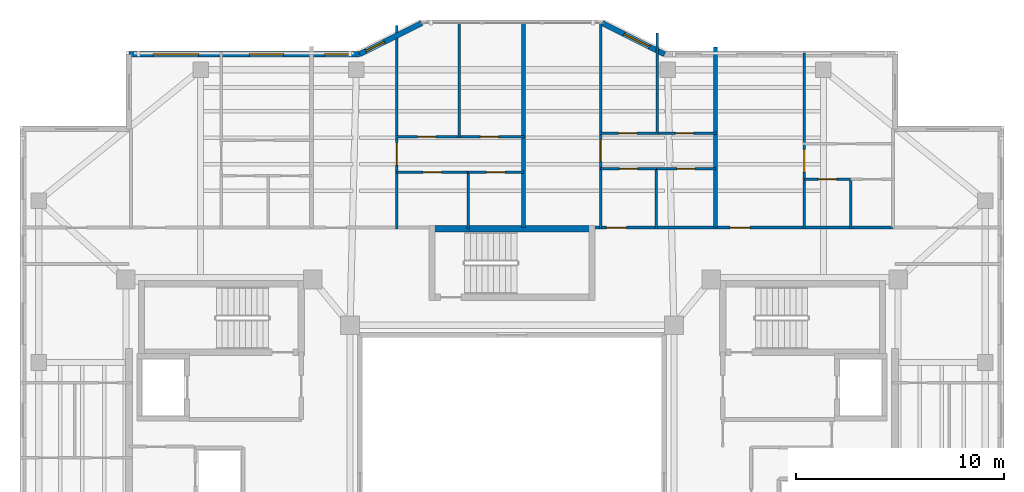
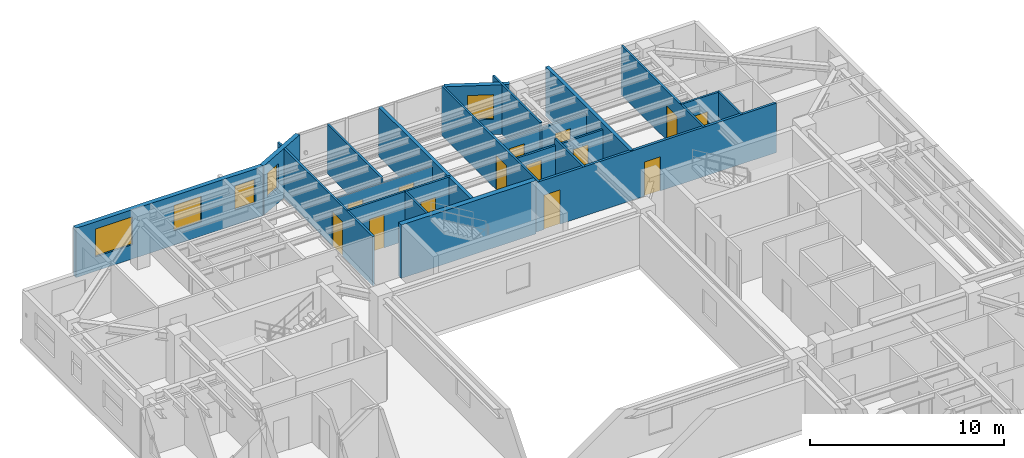
# One storey, part 8 of 12: 22 walls, 14 doors, 5 windows, 19 openings.
"""IFC4 building model written with IfcOpenShell, lengths in metres."""

from ifc_helpers import new_model, si_unit, direction, frame, frame_2d, origin, place, context, subcontext, project, spatial, rectangle, extrude, material, layer, layer_set, type_object, element, fill, save


model = new_model("IFC4")

# Units and contexts
model_context = context("Model", 3, precision=1e-05, world=origin(), true_north=direction((0.0, 1.0)))
body_context = subcontext(model_context, "Body", "Model", "MODEL_VIEW")
ifc_project = project(units=[si_unit("LENGTHUNIT", "METRE"), si_unit("AREAUNIT", "SQUARE_METRE"), si_unit("VOLUMEUNIT", "CUBIC_METRE"), si_unit("PLANEANGLEUNIT", "RADIAN"), si_unit("MASSUNIT", "GRAM", prefix="KILO")], contexts=[model_context])

# Site, building, storey
site_placement = place(None, origin())
site = spatial("IfcSite", under=ifc_project, at=site_placement, CompositionType="ELEMENT")
building_placement = place(site_placement, origin())
building = spatial("IfcBuilding", under=site, at=building_placement, Name="Tarnavaz Court Tower", CompositionType="ELEMENT")
storey_placement = place(building_placement, frame((0.0, 0.0, 203.64990234375)))
storey = spatial("IfcBuildingStorey", under=building, at=storey_placement, Name="L55", CompositionType="ELEMENT", Elevation=203.64990234375)

# Wall
ifc_material_1 = material(Name="Concrete C50/60", Category="concrete")
ifc_layer_1 = layer(ifc_material_1, 0.300048828125)
ifc_layer_set_1 = layer_set([ifc_layer_1], Name="Concrete C50/60")
wall_type_1 = type_object("IfcWallType", Name="WL-CORE-300-C50", PredefinedType="SHEAR", material=ifc_layer_set_1)
wall_1_placement = place(storey_placement, frame((-4.0, 12.43994140625, 0.0), z_axis=(0.0, 0.0, 1.0), x_axis=(1.0, 0.0, 0.0)))
element("IfcWall", 1, at=wall_1_placement, inside=storey, type_object=wall_type_1, Name="L55 North Stair Core Wall 009", PredefinedType="SHEAR", context=body_context, shape_type="SweptSolid", body=[
    extrude(rectangle(XDim=8.0, YDim=0.300048828125, at=frame_2d((4.0, 0.0))), origin(), (0.0, 0.0, 1.0), 3.35009765625),
])

# Wall, openings, windows
ifc_material_2 = material(Name="Precast Concrete C40/50", Category="concrete")
ifc_layer_2 = layer(ifc_material_2, 0.260009765625)
ifc_layer_set_2 = layer_set([ifc_layer_2], Name="Precast Concrete C40/50")
wall_type_2 = type_object("IfcWallType", Name="WL-EXT-260", PredefinedType="SOLIDWALL", material=ifc_layer_set_2)
wall_2_placement = place(storey_placement, frame((-18.449951171875, 20.85009765625, 0.0), z_axis=(0.0, 0.0, 1.0), x_axis=(1.0, 0.0, 0.0)))
wall_2 = element("IfcWall", 2, at=wall_2_placement, inside=storey, type_object=wall_type_2, Name="L55 Exterior Terracotta Facade Wall 05", PredefinedType="SOLIDWALL", context=body_context, shape_type="SweptSolid", body=[
    extrude(rectangle(XDim=11.099853515625, YDim=0.260009765625, at=frame_2d((5.5498046875, 0.0))), origin(), (0.0, 0.0, 1.0), 3.10009765625),
])
opening_1_placement = place(wall_2_placement, frame((1.16015625, 0.0, 0.89990234375)))
opening_1 = element("IfcOpeningElement", 3, at=opening_1_placement, cuts=wall_2, Name="Opening W07", PredefinedType="OPENING", context=body_context, shape_type="SweptSolid", body=[
    extrude(rectangle(XDim=2.199951171875, YDim=1.75, at=frame_2d((1.10009765625, 0.875))), frame((0.0, 0.139892578125, 0.0), z_axis=(0.0, -1.0, 0.0), x_axis=(1.0, 0.0, 0.0)), (0.0, 0.0, 1.0), 0.280029296875),
])
opening_2_placement = place(wall_2_placement, frame((5.804931640625, 0.0, 0.89990234375)))
opening_2 = element("IfcOpeningElement", 4, at=opening_2_placement, cuts=wall_2, Name="Opening W02", PredefinedType="OPENING", context=body_context, shape_type="SweptSolid", body=[
    extrude(rectangle(XDim=1.64990234375, YDim=1.60009765625, at=frame_2d((0.824951171875, 0.800048828125))), frame((0.0, 0.139892578125, 0.0), z_axis=(0.0, -1.0, 0.0), x_axis=(1.0, 0.0, 0.0)), (0.0, 0.0, 1.0), 0.280029296875),
])
opening_3_placement = place(wall_2_placement, frame((9.420166015625, 0.0, 0.949951171875)))
opening_3 = element("IfcOpeningElement", 5, at=opening_3_placement, cuts=wall_2, Name="Opening W05", PredefinedType="OPENING", context=body_context, shape_type="SweptSolid", body=[
    extrude(rectangle(XDim=1.199951171875, YDim=1.5, at=frame_2d((0.60009765625, 0.75))), frame((0.0, 0.139892578125, 0.0), z_axis=(0.0, -1.0, 0.0), x_axis=(1.0, 0.0, 0.0)), (0.0, 0.0, 1.0), 0.280029296875),
])
ifc_material_3 = material(Name="Double-Glazed Solar Low-E Glass", Category="glass")
window_type_1 = type_object("IfcWindowType", Name="WN-APT-1200", PartitioningType="SINGLE_PANEL", PredefinedType="WINDOW", material=ifc_material_3)
window_1_placement = place(opening_3_placement, origin())
window_1 = element("IfcWindow", 6, at=window_1_placement, inside=storey, type_object=window_type_1, Name="L55 Flat 02 Living and Dining Room Window", OverallHeight=1.5, OverallWidth=1.199951171875, PartitioningType="SINGLE_PANEL", PredefinedType="WINDOW", context=body_context, shape_type="SweptSolid", body=[
    extrude(rectangle(XDim=1.199951171875, YDim=1.5, at=frame_2d((0.60009765625, 0.75))), frame((0.0, 0.030029296875, 0.0), z_axis=(0.0, -1.0, 0.0), x_axis=(1.0, 0.0, 0.0)), (0.0, 0.0, 1.0), 0.06005859375),
])
fill(opening_3, window_1)
window_type_2 = type_object("IfcWindowType", Name="WN-APT-1650", PartitioningType="DOUBLE_PANEL_VERTICAL", PredefinedType="WINDOW", material=ifc_material_3)
window_2_placement = place(opening_2_placement, origin())
window_2 = element("IfcWindow", 7, at=window_2_placement, inside=storey, type_object=window_type_2, Name="L55 Flat 01 Bedroom 1 Window", OverallHeight=1.60009765625, OverallWidth=1.64990234375, PartitioningType="SINGLE_PANEL", PredefinedType="WINDOW", context=body_context, shape_type="SweptSolid", body=[
    extrude(rectangle(XDim=1.64990234375, YDim=1.60009765625, at=frame_2d((0.824951171875, 0.800048828125))), frame((0.0, 0.030029296875, 0.0), z_axis=(0.0, -1.0, 0.0), x_axis=(1.0, 0.0, 0.0)), (0.0, 0.0, 1.0), 0.06005859375),
])
fill(opening_2, window_2)
window_type_3 = type_object("IfcWindowType", Name="WN-APT-2200", PartitioningType="TRIPLE_PANEL_VERTICAL", PredefinedType="WINDOW", material=ifc_material_3)
window_3_placement = place(opening_1_placement, origin())
window_3 = element("IfcWindow", 8, at=window_3_placement, inside=storey, type_object=window_type_3, Name="L55 Flat 01 Living and Dining Room Window", OverallHeight=1.75, OverallWidth=2.199951171875, PartitioningType="SINGLE_PANEL", PredefinedType="WINDOW", context=body_context, shape_type="SweptSolid", body=[
    extrude(rectangle(XDim=2.199951171875, YDim=1.75, at=frame_2d((1.10009765625, 0.875))), frame((0.0, 0.030029296875, 0.0), z_axis=(0.0, -1.0, 0.0), x_axis=(1.0, 0.0, 0.0)), (0.0, 0.0, 1.0), 0.06005859375),
])
fill(opening_1, window_3)

# Wall, opening, window
wall_3_placement = place(storey_placement, frame((-7.35009765625, 20.85009765625, 0.0), z_axis=(0.0, 0.0, 1.0), x_axis=(0.894427191, 0.4472135955, 0.0)))
wall_3 = element("IfcWall", 9, at=wall_3_placement, inside=storey, type_object=wall_type_2, Name="L55 Exterior Terracotta Facade Wall 06", PredefinedType="SOLIDWALL", context=body_context, shape_type="SweptSolid", body=[
    extrude(rectangle(XDim=3.35400390625, YDim=0.260009765625, at=frame_2d((1.677001953125, 0.0))), origin(), (0.0, 0.0, 1.0), 3.10009765625),
])
opening_4_placement = place(wall_3_placement, frame((0.345947265625, 0.0, 0.949951171875)))
opening_4 = element("IfcOpeningElement", 10, at=opening_4_placement, cuts=wall_3, Name="Opening W14", PredefinedType="OPENING", context=body_context, shape_type="SweptSolid", body=[
    extrude(rectangle(XDim=1.0, YDim=1.5, at=frame_2d((0.5, 0.75))), frame((0.0, 0.139892578125, 0.0), z_axis=(0.0, -1.0, 0.0), x_axis=(1.0, 0.0, 0.0)), (0.0, 0.0, 1.0), 0.280029296875),
])
window_type_4 = type_object("IfcWindowType", Name="WN-APT-1000", PartitioningType="SINGLE_PANEL", PredefinedType="WINDOW", material=ifc_material_3)
window_4_placement = place(opening_4_placement, origin())
window_4 = element("IfcWindow", 11, at=window_4_placement, inside=storey, type_object=window_type_4, Name="L55 Flat 02 Living and Dining Room Window", OverallHeight=1.5, OverallWidth=1.0, PartitioningType="SINGLE_PANEL", PredefinedType="WINDOW", context=body_context, shape_type="SweptSolid", body=[
    extrude(rectangle(XDim=1.0, YDim=1.5, at=frame_2d((0.5, 0.75))), frame((0.0, 0.030029296875, 0.0), z_axis=(0.0, -1.0, 0.0), x_axis=(1.0, 0.0, 0.0)), (0.0, 0.0, 1.0), 0.06005859375),
])
fill(opening_4, window_4)

wall_4_placement = place(storey_placement, frame((4.35009765625, 22.35009765625, 0.0), z_axis=(0.0, 0.0, 1.0), x_axis=(0.894427191, -0.4472135955, 0.0)))
wall_4 = element("IfcWall", 12, at=wall_4_placement, inside=storey, type_object=wall_type_2, Name="L55 Exterior Terracotta Facade Wall 08", PredefinedType="SOLIDWALL", context=body_context, shape_type="SweptSolid", body=[
    extrude(rectangle(XDim=3.35400390625, YDim=0.260009765625, at=frame_2d((1.677001953125, 0.0))), origin(), (0.0, 0.0, 1.0), 3.10009765625),
])
opening_5_placement = place(wall_4_placement, frame((1.182373046875, 0.0, 0.949951171875)))
opening_5 = element("IfcOpeningElement", 13, at=opening_5_placement, cuts=wall_4, Name="Opening W04", PredefinedType="OPENING", context=body_context, shape_type="SweptSolid", body=[
    extrude(rectangle(XDim=1.35009765625, YDim=1.550048828125, at=frame_2d((0.675048828125, 0.77490234375))), frame((0.0, 0.139892578125, 0.0), z_axis=(0.0, -1.0, 0.0), x_axis=(1.0, 0.0, 0.0)), (0.0, 0.0, 1.0), 0.280029296875),
])
window_type_5 = type_object("IfcWindowType", Name="WN-APT-1350", PartitioningType="SINGLE_PANEL", PredefinedType="WINDOW", material=ifc_material_3)
window_5_placement = place(opening_5_placement, origin())
window_5 = element("IfcWindow", 14, at=window_5_placement, inside=storey, type_object=window_type_5, Name="L55 Flat 03 Principal Bedroom Window", OverallHeight=1.550048828125, OverallWidth=1.35009765625, PartitioningType="SINGLE_PANEL", PredefinedType="WINDOW", context=body_context, shape_type="SweptSolid", body=[
    extrude(rectangle(XDim=1.35009765625, YDim=1.550048828125, at=frame_2d((0.675048828125, 0.77490234375))), frame((0.0, 0.030029296875, 0.0), z_axis=(0.0, -1.0, 0.0), x_axis=(1.0, 0.0, 0.0)), (0.0, 0.0, 1.0), 0.06005859375),
])
fill(opening_5, window_5)

# Wall, openings, doors
ifc_material_4 = material(Name="Gypsum Fire-Board on Acoustic Metal Stud", Category="masonry")
ifc_layer_3 = layer(ifc_material_4, 0.14990234375)
ifc_layer_set_3 = layer_set([ifc_layer_3], Name="Gypsum Fire-Board on Acoustic Metal Stud")
wall_type_3 = type_object("IfcWallType", Name="WL-FIRE-150", PredefinedType="PARTITIONING", material=ifc_layer_set_3)
wall_5_placement = place(storey_placement, frame((3.85009765625, 12.5, 0.0), z_axis=(0.0, 0.0, 1.0), x_axis=(1.0, 0.0, 0.0)))
wall_5 = element("IfcWall", 15, at=wall_5_placement, inside=storey, type_object=wall_type_3, Name="L55 NE Wing Corridor Wall 059", PredefinedType="PARTITIONING", context=body_context, shape_type="SweptSolid", body=[
    extrude(rectangle(XDim=14.5, YDim=0.14990234375, at=frame_2d((7.25, 0.0))), origin(), (0.0, 0.0, 1.0), 3.10009765625),
])
opening_6_placement = place(wall_5_placement, frame((0.699951171875, 0.0, 0.0)))
opening_6 = element("IfcOpeningElement", 16, at=opening_6_placement, cuts=wall_5, Name="Opening D06", PredefinedType="OPENING", context=body_context, shape_type="SweptSolid", body=[
    extrude(rectangle(XDim=0.9599609375, YDim=2.14990234375, at=frame_2d((0.47998046875, 1.074951171875))), frame((0.0, 0.0849609375, 0.0), z_axis=(0.0, -1.0, 0.0), x_axis=(1.0, 0.0, 0.0)), (0.0, 0.0, 1.0), 0.169921875),
])
opening_7_placement = place(wall_5_placement, frame((6.656005859375, 0.0, 0.0)))
opening_7 = element("IfcOpeningElement", 17, at=opening_7_placement, cuts=wall_5, Name="Opening D06", PredefinedType="OPENING", context=body_context, shape_type="SweptSolid", body=[
    extrude(rectangle(XDim=0.9599609375, YDim=2.14990234375, at=frame_2d((0.47998046875, 1.074951171875))), frame((0.0, 0.0849609375, 0.0), z_axis=(0.0, -1.0, 0.0), x_axis=(1.0, 0.0, 0.0)), (0.0, 0.0, 1.0), 0.169921875),
])
ifc_material_5 = material(Name="Fire-Rated Hardwood Timber Core", Category="wood")
door_type_1 = type_object("IfcDoorType", Name="DR-FD60-950", OperationType="NOTDEFINED", PredefinedType="DOOR", material=ifc_material_5)
door_1_placement = place(opening_6_placement, origin())
door_1 = element("IfcDoor", 18, at=door_1_placement, inside=storey, type_object=door_type_1, Name="L55 Flat 03 Entrance Door", OperationType="SINGLE_SWING_LEFT", OverallHeight=2.14990234375, OverallWidth=0.9599609375, PredefinedType="DOOR", context=body_context, shape_type="SweptSolid", body=[
    extrude(rectangle(XDim=0.9599609375, YDim=2.14990234375, at=frame_2d((0.47998046875, 1.074951171875))), frame((0.0, 0.02490234375, 0.0), z_axis=(0.0, -1.0, 0.0), x_axis=(1.0, 0.0, 0.0)), (0.0, 0.0, 1.0), 0.050048828125),
])
fill(opening_6, door_1)
door_2_placement = place(opening_7_placement, origin())
door_2 = element("IfcDoor", 19, at=door_2_placement, inside=storey, type_object=door_type_1, Name="L55 Flat 04 Entrance Door", OperationType="SINGLE_SWING_LEFT", OverallHeight=2.14990234375, OverallWidth=0.9599609375, PredefinedType="DOOR", context=body_context, shape_type="SweptSolid", body=[
    extrude(rectangle(XDim=0.9599609375, YDim=2.14990234375, at=frame_2d((0.47998046875, 1.074951171875))), frame((0.0, 0.02490234375, 0.0), z_axis=(0.0, -1.0, 0.0), x_axis=(1.0, 0.0, 0.0)), (0.0, 0.0, 1.0), 0.050048828125),
])
fill(opening_7, door_2)

# Walls
ifc_material_6 = material(Name="Autoclaved Aerated Concrete Blockwork", Category="masonry")
ifc_layer_4 = layer(ifc_material_6, 0.199951171875)
ifc_layer_set_4 = layer_set([ifc_layer_4], Name="Autoclaved Aerated Concrete Blockwork")
wall_type_4 = type_object("IfcWallType", Name="WL-FIRE-200", PredefinedType="SOLIDWALL", material=ifc_layer_set_4)
wall_6_placement = place(storey_placement, frame((0.550048828125, 12.5, 0.0), z_axis=(0.0, 0.0, 1.0), x_axis=(0.0, 1.0, 0.0)))
element("IfcWall", 20, at=wall_6_placement, inside=storey, type_object=wall_type_4, Name="L55 North Center Party Wall 064", PredefinedType="SOLIDWALL", context=body_context, shape_type="SweptSolid", body=[
    extrude(rectangle(XDim=9.8798828125, YDim=0.199951171875, at=frame_2d((4.93994140625, 0.0))), origin(), (0.0, 0.0, 1.0), 3.10009765625),
])
wall_7_placement = place(storey_placement, frame((9.805908203125, 12.5, 0.0), z_axis=(0.0, 0.0, 1.0), x_axis=(0.0, 1.0, 0.0)))
element("IfcWall", 21, at=wall_7_placement, inside=storey, type_object=wall_type_4, Name="L55 Party Wall 077", PredefinedType="SOLIDWALL", context=body_context, shape_type="SweptSolid", body=[
    extrude(rectangle(XDim=8.695068359375, YDim=0.199951171875, at=frame_2d((4.34765625, 0.0))), origin(), (0.0, 0.0, 1.0), 3.10009765625),
])

# Wall, opening, door
ifc_material_7 = material(Name="Moisture-Resistant Gypsum Board Partition", Category="masonry")
ifc_layer_5 = layer(ifc_material_7, 0.1201171875)
ifc_layer_set_5 = layer_set([ifc_layer_5], Name="Moisture-Resistant Gypsum Board Partition")
wall_type_5 = type_object("IfcWallType", Name="WL-PART-120", PredefinedType="PARTITIONING", material=ifc_layer_set_5)
wall_8_placement = place(storey_placement, frame((-5.56201171875, 12.43994140625, 0.0), z_axis=(0.0, 0.0, 1.0), x_axis=(0.0, 1.0, 0.0)))
wall_8 = element("IfcWall", 22, at=wall_8_placement, inside=storey, type_object=wall_type_5, Name="L55 Interior Partition 071", PredefinedType="PARTITIONING", context=body_context, shape_type="SweptSolid", body=[
    extrude(rectangle(XDim=9.801025390625, YDim=0.1201171875, at=frame_2d((4.900390625, 0.0))), origin(), (0.0, 0.0, 1.0), 3.10009765625),
])
opening_8_placement = place(wall_8_placement, frame((3.074951171875, 0.0, 0.0)))
opening_8 = element("IfcOpeningElement", 23, at=opening_8_placement, cuts=wall_8, Name="Opening D12", PredefinedType="OPENING", context=body_context, shape_type="SweptSolid", body=[
    extrude(rectangle(XDim=1.080078125, YDim=2.14990234375, at=frame_2d((0.5400390625, 1.074951171875))), frame((0.0, 0.070068359375, 0.0), z_axis=(0.0, -1.0, 0.0), x_axis=(1.0, 0.0, 0.0)), (0.0, 0.0, 1.0), 0.14013671875),
])
ifc_material_8 = material(Name="Engineered Oak Timber", Category="wood")
door_type_2 = type_object("IfcDoorType", Name="DR-INT-1100", OperationType="NOTDEFINED", PredefinedType="DOOR", material=ifc_material_8)
door_3_placement = place(opening_8_placement, origin())
door_3 = element("IfcDoor", 24, at=door_3_placement, inside=storey, type_object=door_type_2, Name="L55 Flat 02 Foyer Door", OperationType="SINGLE_SWING_RIGHT", OverallHeight=2.14990234375, OverallWidth=1.080078125, PredefinedType="DOOR", context=body_context, shape_type="SweptSolid", body=[
    extrude(rectangle(XDim=1.080078125, YDim=2.14990234375, at=frame_2d((0.5400390625, 1.074951171875))), frame((0.0, 0.02490234375, 0.0), z_axis=(0.0, -1.0, 0.0), x_axis=(1.0, 0.0, 0.0)), (0.0, 0.0, 1.0), 0.050048828125),
])
fill(opening_8, door_3)

wall_9_placement = place(storey_placement, frame((-5.56201171875, 15.169921875, 0.0), z_axis=(0.0, 0.0, 1.0), x_axis=(1.0, 0.0, 0.0)))
wall_9 = element("IfcWall", 25, at=wall_9_placement, inside=storey, type_object=wall_type_5, Name="L55 Interior Partition 072", PredefinedType="PARTITIONING", context=body_context, shape_type="SweptSolid", body=[
    extrude(rectangle(XDim=3.449951171875, YDim=0.1201171875, at=frame_2d((1.72509765625, 0.0))), origin(), (0.0, 0.0, 1.0), 3.10009765625),
])
opening_9_placement = place(wall_9_placement, frame((1.284912109375, 0.0, 0.0)))
opening_9 = element("IfcOpeningElement", 26, at=opening_9_placement, cuts=wall_9, Name="Opening D14", PredefinedType="OPENING", context=body_context, shape_type="SweptSolid", body=[
    extrude(rectangle(XDim=0.8798828125, YDim=2.10009765625, at=frame_2d((0.43994140625, 1.050048828125))), frame((0.0, 0.070068359375, 0.0), z_axis=(0.0, -1.0, 0.0), x_axis=(1.0, 0.0, 0.0)), (0.0, 0.0, 1.0), 0.14013671875),
])
door_type_3 = type_object("IfcDoorType", Name="DR-INT-900", OperationType="NOTDEFINED", PredefinedType="DOOR", material=ifc_material_8)
door_4_placement = place(opening_9_placement, origin())
door_4 = element("IfcDoor", 27, at=door_4_placement, inside=storey, type_object=door_type_3, Name="L55 Flat 02 Kitchen Door", OperationType="SINGLE_SWING_LEFT", OverallHeight=2.10009765625, OverallWidth=0.8798828125, PredefinedType="DOOR", context=body_context, shape_type="SweptSolid", body=[
    extrude(rectangle(XDim=0.8798828125, YDim=2.10009765625, at=frame_2d((0.43994140625, 1.050048828125))), frame((0.0, 0.02490234375, 0.0), z_axis=(0.0, -1.0, 0.0), x_axis=(1.0, 0.0, 0.0)), (0.0, 0.0, 1.0), 0.050048828125),
])
fill(opening_9, door_4)

wall_10_placement = place(storey_placement, frame((-2.112060546875, 15.169921875, 0.0), z_axis=(0.0, 0.0, 1.0), x_axis=(1.0, 0.0, 0.0)))
wall_10 = element("IfcWall", 28, at=wall_10_placement, inside=storey, type_object=wall_type_5, Name="L55 Interior Partition 073", PredefinedType="PARTITIONING", context=body_context, shape_type="SweptSolid", body=[
    extrude(rectangle(XDim=2.662109375, YDim=0.1201171875, at=frame_2d((1.3310546875, 0.0))), origin(), (0.0, 0.0, 1.0), 3.10009765625),
])
opening_10_placement = place(wall_10_placement, frame((0.89111328125, 0.0, 0.0)))
opening_10 = element("IfcOpeningElement", 29, at=opening_10_placement, cuts=wall_10, Name="Opening D14", PredefinedType="OPENING", context=body_context, shape_type="SweptSolid", body=[
    extrude(rectangle(XDim=0.8798828125, YDim=2.10009765625, at=frame_2d((0.43994140625, 1.050048828125))), frame((0.0, 0.070068359375, 0.0), z_axis=(0.0, -1.0, 0.0), x_axis=(1.0, 0.0, 0.0)), (0.0, 0.0, 1.0), 0.14013671875),
])
door_5_placement = place(opening_10_placement, origin())
door_5 = element("IfcDoor", 30, at=door_5_placement, inside=storey, type_object=door_type_3, Name="L55 Flat 02 Bathroom Door", OperationType="SINGLE_SWING_RIGHT", OverallHeight=2.10009765625, OverallWidth=0.8798828125, PredefinedType="DOOR", context=body_context, shape_type="SweptSolid", body=[
    extrude(rectangle(XDim=0.8798828125, YDim=2.10009765625, at=frame_2d((0.43994140625, 1.050048828125))), frame((0.0, 0.02490234375, 0.0), z_axis=(0.0, -1.0, 0.0), x_axis=(1.0, 0.0, 0.0)), (0.0, 0.0, 1.0), 0.050048828125),
])
fill(opening_10, door_5)

# Wall, openings, doors
wall_11_placement = place(storey_placement, frame((-5.6220703125, 16.8798828125, 0.0), z_axis=(0.0, 0.0, 1.0), x_axis=(1.0, 0.0, 0.0)))
wall_11 = element("IfcWall", 31, at=wall_11_placement, inside=storey, type_object=wall_type_5, Name="L55 Interior Partition 074", PredefinedType="PARTITIONING", context=body_context, shape_type="SweptSolid", body=[
    extrude(rectangle(XDim=6.232177734375, YDim=0.1201171875, at=frame_2d((3.1162109375, 0.0))), origin(), (0.0, 0.0, 1.0), 2.72509765625),
])
opening_11_placement = place(wall_11_placement, frame((1.072998046875, 0.0, 0.0)))
opening_11 = element("IfcOpeningElement", 32, at=opening_11_placement, cuts=wall_11, Name="Opening D14", PredefinedType="OPENING", context=body_context, shape_type="SweptSolid", body=[
    extrude(rectangle(XDim=0.8798828125, YDim=2.10009765625, at=frame_2d((0.43994140625, 1.050048828125))), frame((0.0, 0.070068359375, 0.0), z_axis=(0.0, -1.0, 0.0), x_axis=(1.0, 0.0, 0.0)), (0.0, 0.0, 1.0), 0.14013671875),
])
opening_12_placement = place(wall_11_placement, frame((4.09912109375, 0.0, 0.0)))
opening_12 = element("IfcOpeningElement", 33, at=opening_12_placement, cuts=wall_11, Name="Opening D14", PredefinedType="OPENING", context=body_context, shape_type="SweptSolid", body=[
    extrude(rectangle(XDim=0.8798828125, YDim=2.10009765625, at=frame_2d((0.43994140625, 1.050048828125))), frame((0.0, 0.070068359375, 0.0), z_axis=(0.0, -1.0, 0.0), x_axis=(1.0, 0.0, 0.0)), (0.0, 0.0, 1.0), 0.14013671875),
])
door_6_placement = place(opening_11_placement, origin())
door_6 = element("IfcDoor", 34, at=door_6_placement, inside=storey, type_object=door_type_3, Name="L55 Flat 02 Bedroom 1 Door", OperationType="SINGLE_SWING_LEFT", OverallHeight=2.10009765625, OverallWidth=0.8798828125, PredefinedType="DOOR", context=body_context, shape_type="SweptSolid", body=[
    extrude(rectangle(XDim=0.8798828125, YDim=2.10009765625, at=frame_2d((0.43994140625, 1.050048828125))), frame((0.0, 0.02490234375, 0.0), z_axis=(0.0, -1.0, 0.0), x_axis=(1.0, 0.0, 0.0)), (0.0, 0.0, 1.0), 0.050048828125),
])
fill(opening_11, door_6)
door_7_placement = place(opening_12_placement, origin())
door_7 = element("IfcDoor", 35, at=door_7_placement, inside=storey, type_object=door_type_3, Name="L55 Flat 02 Bedroom 2 Door", OperationType="SINGLE_SWING_RIGHT", OverallHeight=2.10009765625, OverallWidth=0.8798828125, PredefinedType="DOOR", context=body_context, shape_type="SweptSolid", body=[
    extrude(rectangle(XDim=0.8798828125, YDim=2.10009765625, at=frame_2d((0.43994140625, 1.050048828125))), frame((0.0, 0.02490234375, 0.0), z_axis=(0.0, -1.0, 0.0), x_axis=(1.0, 0.0, 0.0)), (0.0, 0.0, 1.0), 0.050048828125),
])
fill(opening_12, door_7)

# Walls
wall_12_placement = place(storey_placement, frame((-2.112060546875, 12.43994140625, 0.0), z_axis=(0.0, 0.0, 1.0), x_axis=(0.0, 1.0, 0.0)))
element("IfcWall", 36, at=wall_12_placement, inside=storey, type_object=wall_type_5, Name="L55 Interior Partition 075", PredefinedType="PARTITIONING", context=body_context, shape_type="SweptSolid", body=[
    extrude(rectangle(XDim=2.7900390625, YDim=0.1201171875, at=frame_2d((1.39501953125, 0.0))), origin(), (0.0, 0.0, 1.0), 3.10009765625),
])
wall_13_placement = place(storey_placement, frame((-2.535888671875, 16.820068359375, 0.0), z_axis=(0.0, 0.0, 1.0), x_axis=(0.0, 1.0, 0.0)))
element("IfcWall", 37, at=wall_13_placement, inside=storey, type_object=wall_type_5, Name="L55 Interior Partition 076", PredefinedType="PARTITIONING", context=body_context, shape_type="SweptSolid", body=[
    extrude(rectangle(XDim=5.559814453125, YDim=0.1201171875, at=frame_2d((2.77978515625, 0.0))), origin(), (0.0, 0.0, 1.0), 3.10009765625),
])

# Wall, opening, door
wall_14_placement = place(storey_placement, frame((4.263916015625, 12.43994140625, 0.0), z_axis=(0.0, 0.0, 1.0), x_axis=(0.0, 1.0, 0.0)))
wall_14 = element("IfcWall", 38, at=wall_14_placement, inside=storey, type_object=wall_type_5, Name="L55 Interior Partition 078", PredefinedType="PARTITIONING", context=body_context, shape_type="SweptSolid", body=[
    extrude(rectangle(XDim=9.93994140625, YDim=0.1201171875, at=frame_2d((4.969970703125, 0.0))), origin(), (0.0, 0.0, 1.0), 3.10009765625),
])
opening_13_placement = place(wall_14_placement, frame((3.2451171875, 0.0, 0.0)))
opening_13 = element("IfcOpeningElement", 39, at=opening_13_placement, cuts=wall_14, Name="Opening D12", PredefinedType="OPENING", context=body_context, shape_type="SweptSolid", body=[
    extrude(rectangle(XDim=1.080078125, YDim=2.14990234375, at=frame_2d((0.5400390625, 1.074951171875))), frame((0.0, 0.070068359375, 0.0), z_axis=(0.0, -1.0, 0.0), x_axis=(1.0, 0.0, 0.0)), (0.0, 0.0, 1.0), 0.14013671875),
])
door_8_placement = place(opening_13_placement, origin())
door_8 = element("IfcDoor", 40, at=door_8_placement, inside=storey, type_object=door_type_2, Name="L55 Flat 03 Foyer Door", OperationType="SINGLE_SWING_RIGHT", OverallHeight=2.14990234375, OverallWidth=1.080078125, PredefinedType="DOOR", context=body_context, shape_type="SweptSolid", body=[
    extrude(rectangle(XDim=1.080078125, YDim=2.14990234375, at=frame_2d((0.5400390625, 1.074951171875))), frame((0.0, 0.02490234375, 0.0), z_axis=(0.0, -1.0, 0.0), x_axis=(1.0, 0.0, 0.0)), (0.0, 0.0, 1.0), 0.050048828125),
])
fill(opening_13, door_8)

wall_15_placement = place(storey_placement, frame((4.263916015625, 15.340087890625, 0.0), z_axis=(0.0, 0.0, 1.0), x_axis=(1.0, 0.0, 0.0)))
wall_15 = element("IfcWall", 41, at=wall_15_placement, inside=storey, type_object=wall_type_5, Name="L55 Interior Partition 079", PredefinedType="PARTITIONING", context=body_context, shape_type="SweptSolid", body=[
    extrude(rectangle(XDim=2.68603515625, YDim=0.1201171875, at=frame_2d((1.343017578125, 0.0))), origin(), (0.0, 0.0, 1.0), 2.72509765625),
])
opening_14_placement = place(wall_15_placement, frame((0.903076171875, 0.0, 0.0)))
opening_14 = element("IfcOpeningElement", 42, at=opening_14_placement, cuts=wall_15, Name="Opening D14", PredefinedType="OPENING", context=body_context, shape_type="SweptSolid", body=[
    extrude(rectangle(XDim=0.8798828125, YDim=2.10009765625, at=frame_2d((0.43994140625, 1.050048828125))), frame((0.0, 0.070068359375, 0.0), z_axis=(0.0, -1.0, 0.0), x_axis=(1.0, 0.0, 0.0)), (0.0, 0.0, 1.0), 0.14013671875),
])
door_9_placement = place(opening_14_placement, origin())
door_9 = element("IfcDoor", 43, at=door_9_placement, inside=storey, type_object=door_type_3, Name="L55 Flat 03 Kitchen Door", OperationType="SINGLE_SWING_LEFT", OverallHeight=2.10009765625, OverallWidth=0.8798828125, PredefinedType="DOOR", context=body_context, shape_type="SweptSolid", body=[
    extrude(rectangle(XDim=0.8798828125, YDim=2.10009765625, at=frame_2d((0.43994140625, 1.050048828125))), frame((0.0, 0.02490234375, 0.0), z_axis=(0.0, -1.0, 0.0), x_axis=(1.0, 0.0, 0.0)), (0.0, 0.0, 1.0), 0.050048828125),
])
fill(opening_14, door_9)

wall_16_placement = place(storey_placement, frame((6.949951171875, 15.340087890625, 0.0), z_axis=(0.0, 0.0, 1.0), x_axis=(1.0, 0.0, 0.0)))
wall_16 = element("IfcWall", 44, at=wall_16_placement, inside=storey, type_object=wall_type_5, Name="L55 Interior Partition 080", PredefinedType="PARTITIONING", context=body_context, shape_type="SweptSolid", body=[
    extrude(rectangle(XDim=2.85595703125, YDim=0.1201171875, at=frame_2d((1.427978515625, 0.0))), origin(), (0.0, 0.0, 1.0), 2.72509765625),
])
opening_15_placement = place(wall_16_placement, frame((0.988037109375, 0.0, 0.0)))
opening_15 = element("IfcOpeningElement", 45, at=opening_15_placement, cuts=wall_16, Name="Opening D14", PredefinedType="OPENING", context=body_context, shape_type="SweptSolid", body=[
    extrude(rectangle(XDim=0.8798828125, YDim=2.10009765625, at=frame_2d((0.43994140625, 1.050048828125))), frame((0.0, 0.070068359375, 0.0), z_axis=(0.0, -1.0, 0.0), x_axis=(1.0, 0.0, 0.0)), (0.0, 0.0, 1.0), 0.14013671875),
])
door_10_placement = place(opening_15_placement, origin())
door_10 = element("IfcDoor", 46, at=door_10_placement, inside=storey, type_object=door_type_3, Name="L55 Flat 03 Bathroom Door", OperationType="SINGLE_SWING_RIGHT", OverallHeight=2.10009765625, OverallWidth=0.8798828125, PredefinedType="DOOR", context=body_context, shape_type="SweptSolid", body=[
    extrude(rectangle(XDim=0.8798828125, YDim=2.10009765625, at=frame_2d((0.43994140625, 1.050048828125))), frame((0.0, 0.02490234375, 0.0), z_axis=(0.0, -1.0, 0.0), x_axis=(1.0, 0.0, 0.0)), (0.0, 0.0, 1.0), 0.050048828125),
])
fill(opening_15, door_10)

# Wall, openings, doors
wall_17_placement = place(storey_placement, frame((4.2041015625, 17.050048828125, 0.0), z_axis=(0.0, 0.0, 1.0), x_axis=(1.0, 0.0, 0.0)))
wall_17 = element("IfcWall", 47, at=wall_17_placement, inside=storey, type_object=wall_type_5, Name="L55 Interior Partition 081", PredefinedType="PARTITIONING", context=body_context, shape_type="SweptSolid", body=[
    extrude(rectangle(XDim=5.661865234375, YDim=0.1201171875, at=frame_2d((2.8310546875, 0.0))), origin(), (0.0, 0.0, 1.0), 2.72509765625),
])
opening_16_placement = place(wall_17_placement, frame((0.929931640625, 0.0, 0.0)))
opening_16 = element("IfcOpeningElement", 48, at=opening_16_placement, cuts=wall_17, Name="Opening D14", PredefinedType="OPENING", context=body_context, shape_type="SweptSolid", body=[
    extrude(rectangle(XDim=0.8798828125, YDim=2.10009765625, at=frame_2d((0.43994140625, 1.050048828125))), frame((0.0, 0.070068359375, 0.0), z_axis=(0.0, -1.0, 0.0), x_axis=(1.0, 0.0, 0.0)), (0.0, 0.0, 1.0), 0.14013671875),
])
opening_17_placement = place(wall_17_placement, frame((3.6708984375, 0.0, 0.0)))
opening_17 = element("IfcOpeningElement", 49, at=opening_17_placement, cuts=wall_17, Name="Opening D14", PredefinedType="OPENING", context=body_context, shape_type="SweptSolid", body=[
    extrude(rectangle(XDim=0.8798828125, YDim=2.10009765625, at=frame_2d((0.43994140625, 1.050048828125))), frame((0.0, 0.070068359375, 0.0), z_axis=(0.0, -1.0, 0.0), x_axis=(1.0, 0.0, 0.0)), (0.0, 0.0, 1.0), 0.14013671875),
])
door_11_placement = place(opening_16_placement, origin())
door_11 = element("IfcDoor", 50, at=door_11_placement, inside=storey, type_object=door_type_3, Name="L55 Flat 03 Bedroom 1 Door", OperationType="SINGLE_SWING_LEFT", OverallHeight=2.10009765625, OverallWidth=0.8798828125, PredefinedType="DOOR", context=body_context, shape_type="SweptSolid", body=[
    extrude(rectangle(XDim=0.8798828125, YDim=2.10009765625, at=frame_2d((0.43994140625, 1.050048828125))), frame((0.0, 0.02490234375, 0.0), z_axis=(0.0, -1.0, 0.0), x_axis=(1.0, 0.0, 0.0)), (0.0, 0.0, 1.0), 0.050048828125),
])
fill(opening_16, door_11)
door_12_placement = place(opening_17_placement, origin())
door_12 = element("IfcDoor", 51, at=door_12_placement, inside=storey, type_object=door_type_3, Name="L55 Flat 03 Bedroom 2 Door", OperationType="SINGLE_SWING_RIGHT", OverallHeight=2.10009765625, OverallWidth=0.8798828125, PredefinedType="DOOR", context=body_context, shape_type="SweptSolid", body=[
    extrude(rectangle(XDim=0.8798828125, YDim=2.10009765625, at=frame_2d((0.43994140625, 1.050048828125))), frame((0.0, 0.02490234375, 0.0), z_axis=(0.0, -1.0, 0.0), x_axis=(1.0, 0.0, 0.0)), (0.0, 0.0, 1.0), 0.050048828125),
])
fill(opening_17, door_12)

# Walls
wall_18_placement = place(storey_placement, frame((6.949951171875, 12.43994140625, 0.0), z_axis=(0.0, 0.0, 1.0), x_axis=(0.0, 1.0, 0.0)))
element("IfcWall", 52, at=wall_18_placement, inside=storey, type_object=wall_type_5, Name="L55 Interior Partition 082", PredefinedType="PARTITIONING", context=body_context, shape_type="SweptSolid", body=[
    extrude(rectangle(XDim=2.9599609375, YDim=0.1201171875, at=frame_2d((1.47998046875, 0.0))), origin(), (0.0, 0.0, 1.0), 3.10009765625),
])
wall_19_placement = place(storey_placement, frame((7.0048828125, 16.989990234375, 0.0), z_axis=(0.0, 0.0, 1.0), x_axis=(0.0, 1.0, 0.0)))
element("IfcWall", 53, at=wall_19_placement, inside=storey, type_object=wall_type_5, Name="L55 Interior Partition 083", PredefinedType="PARTITIONING", context=body_context, shape_type="SweptSolid", body=[
    extrude(rectangle(XDim=4.89501953125, YDim=0.1201171875, at=frame_2d((2.447509765625, 0.0))), origin(), (0.0, 0.0, 1.0), 3.10009765625),
])

# Wall, opening, door
wall_20_placement = place(storey_placement, frame((14.077880859375, 12.43994140625, 0.0), z_axis=(0.0, 0.0, 1.0), x_axis=(0.0, 1.0, 0.0)))
wall_20 = element("IfcWall", 54, at=wall_20_placement, inside=storey, type_object=wall_type_5, Name="L55 Interior Partition 084", PredefinedType="PARTITIONING", context=body_context, shape_type="SweptSolid", body=[
    extrude(rectangle(XDim=8.4599609375, YDim=0.1201171875, at=frame_2d((4.22998046875, 0.0))), origin(), (0.0, 0.0, 1.0), 3.10009765625),
])
opening_18_placement = place(wall_20_placement, frame((2.735107421875, 0.0, 0.0)))
opening_18 = element("IfcOpeningElement", 55, at=opening_18_placement, cuts=wall_20, Name="Opening D12", PredefinedType="OPENING", context=body_context, shape_type="SweptSolid", body=[
    extrude(rectangle(XDim=1.080078125, YDim=2.14990234375, at=frame_2d((0.5400390625, 1.074951171875))), frame((0.0, 0.070068359375, 0.0), z_axis=(0.0, -1.0, 0.0), x_axis=(1.0, 0.0, 0.0)), (0.0, 0.0, 1.0), 0.14013671875),
])
door_13_placement = place(opening_18_placement, origin())
door_13 = element("IfcDoor", 56, at=door_13_placement, inside=storey, type_object=door_type_2, Name="L55 Flat 04 Foyer Door", OperationType="SINGLE_SWING_RIGHT", OverallHeight=2.14990234375, OverallWidth=1.080078125, PredefinedType="DOOR", context=body_context, shape_type="SweptSolid", body=[
    extrude(rectangle(XDim=1.080078125, YDim=2.14990234375, at=frame_2d((0.5400390625, 1.074951171875))), frame((0.0, 0.02490234375, 0.0), z_axis=(0.0, -1.0, 0.0), x_axis=(1.0, 0.0, 0.0)), (0.0, 0.0, 1.0), 0.050048828125),
])
fill(opening_18, door_13)

wall_21_placement = place(storey_placement, frame((14.077880859375, 14.830078125, 0.0), z_axis=(0.0, 0.0, 1.0), x_axis=(1.0, 0.0, 0.0)))
wall_21 = element("IfcWall", 57, at=wall_21_placement, inside=storey, type_object=wall_type_5, Name="L55 Interior Partition 085", PredefinedType="PARTITIONING", context=body_context, shape_type="SweptSolid", body=[
    extrude(rectangle(XDim=2.232177734375, YDim=0.1201171875, at=frame_2d((1.1162109375, 0.0))), origin(), (0.0, 0.0, 1.0), 3.10009765625),
])
opening_19_placement = place(wall_21_placement, frame((0.676025390625, 0.0, 0.0)))
opening_19 = element("IfcOpeningElement", 58, at=opening_19_placement, cuts=wall_21, Name="Opening D14", PredefinedType="OPENING", context=body_context, shape_type="SweptSolid", body=[
    extrude(rectangle(XDim=0.8798828125, YDim=2.10009765625, at=frame_2d((0.43994140625, 1.050048828125))), frame((0.0, 0.070068359375, 0.0), z_axis=(0.0, -1.0, 0.0), x_axis=(1.0, 0.0, 0.0)), (0.0, 0.0, 1.0), 0.14013671875),
])
door_14_placement = place(opening_19_placement, origin())
door_14 = element("IfcDoor", 59, at=door_14_placement, inside=storey, type_object=door_type_3, Name="L55 Flat 04 Kitchen Door", OperationType="SINGLE_SWING_LEFT", OverallHeight=2.10009765625, OverallWidth=0.8798828125, PredefinedType="DOOR", context=body_context, shape_type="SweptSolid", body=[
    extrude(rectangle(XDim=0.8798828125, YDim=2.10009765625, at=frame_2d((0.43994140625, 1.050048828125))), frame((0.0, 0.02490234375, 0.0), z_axis=(0.0, -1.0, 0.0), x_axis=(1.0, 0.0, 0.0)), (0.0, 0.0, 1.0), 0.050048828125),
])
fill(opening_19, door_14)

# Wall
wall_22_placement = place(storey_placement, frame((16.31005859375, 12.43994140625, 0.0), z_axis=(0.0, 0.0, 1.0), x_axis=(0.0, 1.0, 0.0)))
element("IfcWall", 60, at=wall_22_placement, inside=storey, type_object=wall_type_5, Name="L55 Interior Partition 088", PredefinedType="PARTITIONING", context=body_context, shape_type="SweptSolid", body=[
    extrude(rectangle(XDim=2.449951171875, YDim=0.1201171875, at=frame_2d((1.22509765625, 0.0))), origin(), (0.0, 0.0, 1.0), 3.10009765625),
])

save(model, "model.ifc")
